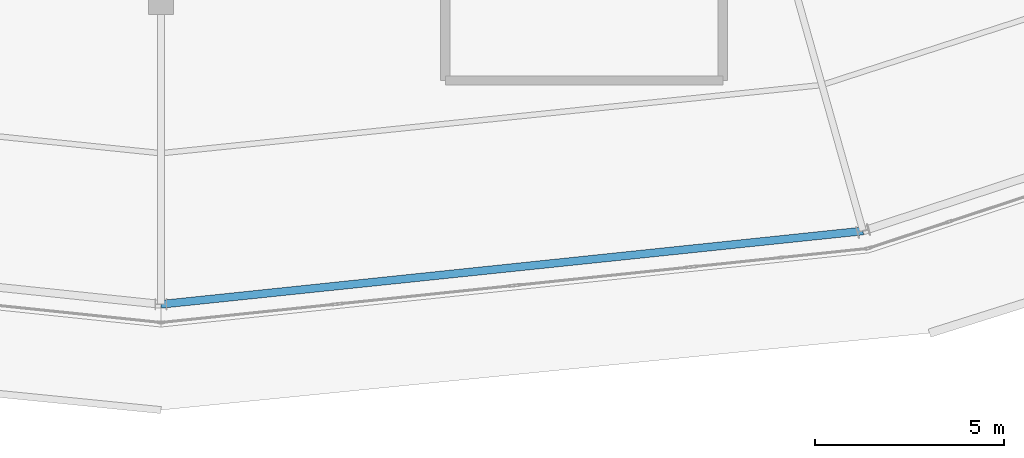
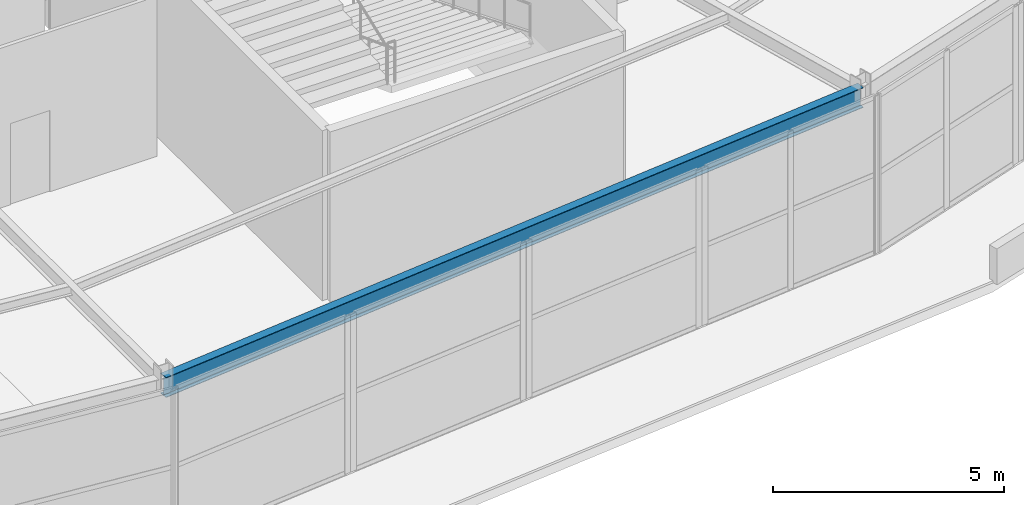
# One storey, part 38 of 126: 1 beam.
"""IFC4 building model written with IfcOpenShell, lengths in metres."""

from ifc_helpers import new_model, si_unit, direction, frame, origin, origin_2d, place, context, subcontext, project, spatial, i_section, extrude, material, material_profile, profile_set, type_object, element, save


model = new_model("IFC4")

# Units and contexts
model_context = context("Model", 3, precision=1e-05, world=origin(), true_north=direction((0.0, 1.0)))
body_context = subcontext(model_context, "Body", "Model", "MODEL_VIEW")
ifc_project = project(units=[si_unit("LENGTHUNIT", "METRE"), si_unit("AREAUNIT", "SQUARE_METRE"), si_unit("VOLUMEUNIT", "CUBIC_METRE"), si_unit("PLANEANGLEUNIT", "RADIAN"), si_unit("MASSUNIT", "GRAM", prefix="KILO")], contexts=[model_context])

# Site, building, storey
site_placement = place(None, origin())
site = spatial("IfcSite", under=ifc_project, at=site_placement, CompositionType="ELEMENT")
building_placement = place(site_placement, origin())
building = spatial("IfcBuilding", under=site, at=building_placement, Name="Kalgoora Escarpment Arena", CompositionType="ELEMENT")
storey_placement = place(building_placement, frame((0.0, 0.0, 18.89990234375)))
storey = spatial("IfcBuildingStorey", under=building, at=storey_placement, Name="L04", CompositionType="ELEMENT", Elevation=18.89990234375)

# Beam
ifc_material = material(Name="Structural steel AS/NZS 3679 (300 MPa)", Category="steel")
ifc_material_profile = material_profile(ifc_material, i_section(OverallWidth=0.208984375, OverallDepth=0.532958984375, WebThickness=0.01025390625, FlangeThickness=0.015625, at=origin_2d()))
ifc_profile_set = profile_set([ifc_material_profile], Name="Structural steel AS/NZS 3679 (300 MPa)")
beam_type = type_object("IfcBeamType", Name="BM-SPANDREL-530UB92.4", PredefinedType="SPANDREL", material=ifc_profile_set)
beam_placement = place(storey_placement, frame((92.39990234375, 7.0, 3.943603515625), z_axis=(0.994583146525, 0.103944045753, 0.0), x_axis=(-0.103944045753, 0.994583146525, 0.0)))
element("IfcBeam", 1, at=beam_placement, inside=storey, type_object=beam_type, Name="L04 Circumferential concourse girder RCONC2 530UB92.4", PredefinedType="SPANDREL", context=body_context, shape_type="SweptSolid", body=[
    extrude(i_section(OverallWidth=0.208984375, OverallDepth=0.532958984375, WebThickness=0.01025390625, FlangeThickness=0.015625, at=origin_2d()), origin(), (0.0, 0.0, 1.0), 18.6845703125),
])

save(model, "model.ifc")
